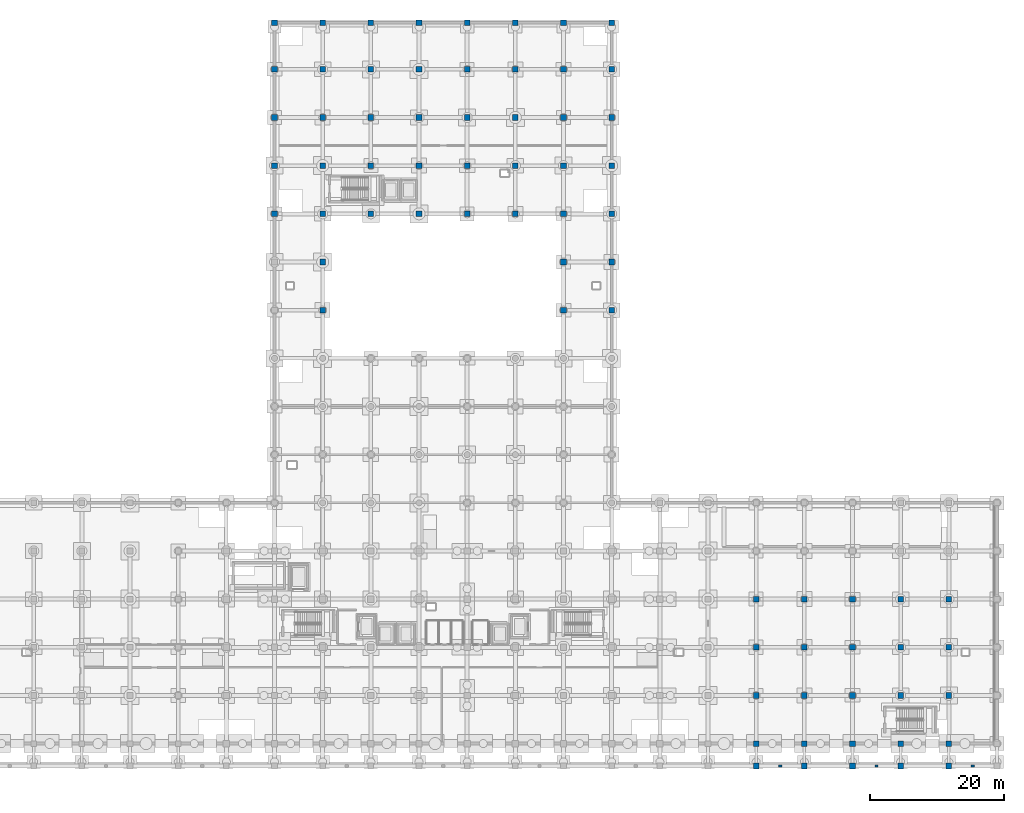
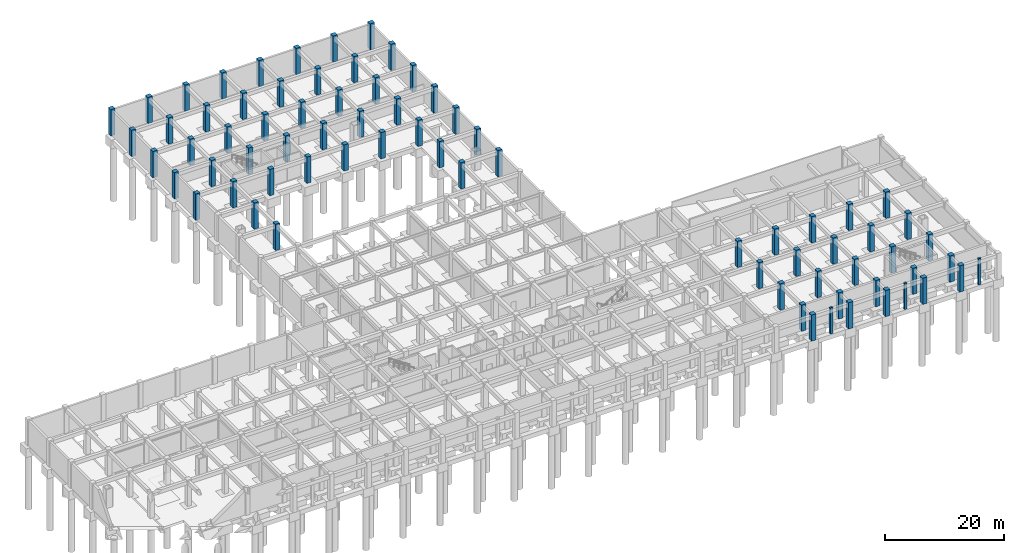
# One storey, part 7 of 26: 74 columns.
"""IFC4 building model written with IfcOpenShell, lengths in metres."""

from ifc_helpers import new_model, si_unit, direction, frame, origin, origin_2d, place, context, subcontext, project, spatial, rectangle, extrude, material, material_profile, profile_set, type_object, element, save


model = new_model("IFC4")

# Units and contexts
model_context = context("Model", 3, precision=1e-05, world=origin(), true_north=direction((0.0, 1.0)))
body_context = subcontext(model_context, "Body", "Model", "MODEL_VIEW")
ifc_project = project(units=[si_unit("LENGTHUNIT", "METRE"), si_unit("AREAUNIT", "SQUARE_METRE"), si_unit("VOLUMEUNIT", "CUBIC_METRE"), si_unit("PLANEANGLEUNIT", "RADIAN"), si_unit("MASSUNIT", "GRAM", prefix="KILO")], contexts=[model_context])

# Site, building, storey
site_placement = place(None, origin())
site = spatial("IfcSite", under=ifc_project, at=site_placement, CompositionType="ELEMENT")
building_placement = place(site_placement, origin())
building = spatial("IfcBuilding", under=site, at=building_placement, Name="Kazehaya Institute of Natural Sciences", CompositionType="ELEMENT")
storey_placement = place(building_placement, frame((0.0, 0.0, -5.39990234375)))
storey = spatial("IfcBuildingStorey", under=building, at=storey_placement, Name="B1", CompositionType="ELEMENT", Elevation=-5.39990234375)

# Columns
ifc_material_1 = material(Name="Concrete Fc42", Category="concrete")
ifc_material_profile_1 = material_profile(ifc_material_1, rectangle(XDim=0.85009765625, YDim=0.85009765625, at=origin_2d()), Name="RC-850x850")
ifc_profile_set_1 = profile_set([ifc_material_profile_1], Name="Concrete Fc42")
column_type_1 = type_object("IfcColumnType", Name="COL-RC850", PredefinedType="COLUMN", material=ifc_profile_set_1)
for number, where, z_axis, x_axis, name in (
    (1, (133.800048828125, 3.449951171875, 0.0), (0.0, 0.0, 1.0), (1.0, 0.0, 0.0), "B1 column COL-B1-0019"),
    (2, (141.0, 3.449951171875, 0.0), (0.0, 0.0, 1.0), (1.0, 0.0, 0.0), "B1 column COL-B1-0020"),
    (3, (148.199951171875, 3.449951171875, 0.0), (0.0, 0.0, 1.0), (1.0, 0.0, 0.0), "B1 column COL-B1-0021"),
    (4, (155.39990234375, 3.449951171875, 0.0), (0.0, 0.0, 1.0), (1.0, 0.0, 0.0), "B1 column COL-B1-0022"),
    (5, (162.60009765625, 3.449951171875, 0.0), (0.0, 0.0, 1.0), (1.0, 0.0, 0.0), "B1 column COL-B1-0023"),
    (6, (133.800048828125, 6.800048828125, 0.0), (0.0, 0.0, 1.0), (1.0, 0.0, 0.0), "B1 column COL-B1-0043"),
    (7, (141.0, 6.800048828125, 0.0), (0.0, 0.0, 1.0), (1.0, 0.0, 0.0), "B1 column COL-B1-0044"),
    (8, (148.199951171875, 6.800048828125, 0.0), (0.0, 0.0, 1.0), (1.0, 0.0, 0.0), "B1 column COL-B1-0045"),
    (9, (155.39990234375, 6.800048828125, 0.0), (0.0, 0.0, 1.0), (1.0, 0.0, 0.0), "B1 column COL-B1-0046"),
    (10, (162.60009765625, 6.800048828125, 0.0), (0.0, 0.0, 1.0), (1.0, 0.0, 0.0), "B1 column COL-B1-0047"),
    (11, (133.800048828125, 14.0, 0.0), (0.0, 0.0, 1.0), (1.0, 0.0, 0.0), "B1 column COL-B1-0067"),
    (12, (141.0, 14.0, 0.0), (0.0, 0.0, 1.0), (1.0, 0.0, 0.0), "B1 column COL-B1-0068"),
    (13, (148.199951171875, 14.0, 0.0), (0.0, 0.0, 1.0), (1.0, 0.0, 0.0), "B1 column COL-B1-0069"),
    (14, (155.39990234375, 14.0, 0.0), (0.0, 0.0, 1.0), (1.0, 0.0, 0.0), "B1 column COL-B1-0070"),
    (15, (162.60009765625, 14.0, 0.0), (0.0, 0.0, 1.0), (1.0, 0.0, 0.0), "B1 column COL-B1-0071"),
    (16, (133.800048828125, 21.199951171875, 0.0), (0.0, 0.0, 1.0), (1.0, 0.0, 0.0), "B1 column COL-B1-0091"),
    (17, (141.0, 21.199951171875, 0.0), (0.0, 0.0, 1.0), (1.0, 0.0, 0.0), "B1 column COL-B1-0092"),
    (18, (148.199951171875, 21.199951171875, 0.0), (0.0, 0.0, 1.0), (1.0, 0.0, 0.0), "B1 column COL-B1-0093"),
    (19, (155.39990234375, 21.199951171875, 0.0), (0.0, 0.0, 1.0), (1.0, 0.0, 0.0), "B1 column COL-B1-0094"),
    (20, (162.60009765625, 21.199951171875, 0.0), (0.0, 0.0, 1.0), (1.0, 0.0, 0.0), "B1 column COL-B1-0095"),
    (21, (133.800048828125, 28.39990234375, 0.0), (0.0, 0.0, 1.0), (1.0, 0.0, 0.0), "B1 column COL-B1-0115"),
    (22, (141.0, 28.39990234375, 0.0), (0.0, 0.0, 1.0), (1.0, 0.0, 0.0), "B1 column COL-B1-0116"),
    (23, (148.199951171875, 28.39990234375, 0.0), (0.0, 0.0, 1.0), (1.0, 0.0, 0.0), "B1 column COL-B1-0117"),
    (24, (155.39990234375, 28.39990234375, 0.0), (0.0, 0.0, 1.0), (1.0, 0.0, 0.0), "B1 column COL-B1-0118"),
    (25, (162.60009765625, 28.39990234375, 0.0), (0.0, 0.0, 1.0), (1.0, 0.0, 0.0), "B1 column COL-B1-0119"),
    (26, (69.0, 71.60009765625, 0.0), (0.0, 0.0, 1.0), (1.0, 0.0, 0.0), "B1 column COL-B1-0194"),
    (27, (105.0, 71.60009765625, 0.0), (0.0, 0.0, 1.0), (1.0, 0.0, 0.0), "B1 column COL-B1-0195"),
    (28, (112.199951171875, 71.60009765625, 0.0), (0.0, 0.0, 1.0), (1.0, 0.0, 0.0), "B1 column COL-B1-0196"),
    (29, (69.0, 78.800048828125, 0.0), (0.0, 0.0, 1.0), (1.0, 0.0, 0.0), "B1 column COL-B1-0198"),
    (30, (105.0, 78.800048828125, 0.0), (0.0, 0.0, 1.0), (1.0, 0.0, 0.0), "B1 column COL-B1-0199"),
    (31, (112.199951171875, 78.800048828125, 0.0), (0.0, 0.0, 1.0), (1.0, 0.0, 0.0), "B1 column COL-B1-0200"),
    (32, (61.800048828125, 86.0, 0.0), (0.0, 0.0, 1.0), (1.0, 0.0, 0.0), "B1 column COL-B1-0201"),
    (33, (69.0, 86.0, 0.0), (0.0, 0.0, 1.0), (1.0, 0.0, 0.0), "B1 column COL-B1-0202"),
    (34, (76.199951171875, 86.0, 0.0), (0.0, 0.0, 1.0), (1.0, 0.0, 0.0), "B1 column COL-B1-0203"),
    (35, (83.39990234375, 86.0, 0.0), (0.0, 0.0, 1.0), (1.0, 0.0, 0.0), "B1 column COL-B1-0204"),
    (36, (90.60009765625, 86.0, 0.0), (0.0, 0.0, 1.0), (1.0, 0.0, 0.0), "B1 column COL-B1-0205"),
    (37, (97.800048828125, 86.0, 0.0), (0.0, 0.0, 1.0), (1.0, 0.0, 0.0), "B1 column COL-B1-0206"),
    (38, (105.0, 86.0, 0.0), (0.0, 0.0, 1.0), (1.0, 0.0, 0.0), "B1 column COL-B1-0207"),
    (39, (112.199951171875, 86.0, 0.0), (0.0, 0.0, 1.0), (1.0, 0.0, 0.0), "B1 column COL-B1-0208"),
    (40, (61.800048828125, 93.199951171875, 0.0), (0.0, 0.0, 1.0), (1.0, 0.0, 0.0), "B1 column COL-B1-0209"),
    (41, (69.0, 93.199951171875, 0.0), (0.0, 0.0, 1.0), (1.0, 0.0, 0.0), "B1 column COL-B1-0210"),
    (42, (76.199951171875, 93.199951171875, 0.0), (0.0, 0.0, 1.0), (1.0, 0.0, 0.0), "B1 column COL-B1-0211"),
    (43, (83.39990234375, 93.199951171875, 0.0), (0.0, 0.0, 1.0), (1.0, 0.0, 0.0), "B1 column COL-B1-0212"),
    (44, (90.60009765625, 93.199951171875, 0.0), (0.0, 0.0, 1.0), (1.0, 0.0, 0.0), "B1 column COL-B1-0213"),
    (45, (97.800048828125, 93.199951171875, 0.0), (0.0, 0.0, 1.0), (1.0, 0.0, 0.0), "B1 column COL-B1-0214"),
    (46, (105.0, 93.199951171875, 0.0), (0.0, 0.0, 1.0), (1.0, 0.0, 0.0), "B1 column COL-B1-0215"),
    (47, (112.199951171875, 93.199951171875, 0.0), (0.0, 0.0, 1.0), (1.0, 0.0, 0.0), "B1 column COL-B1-0216"),
    (48, (61.800048828125, 100.39990234375, 0.0), (0.0, 0.0, 1.0), (1.0, 0.0, 0.0), "B1 column COL-B1-0217"),
    (49, (69.0, 100.39990234375, 0.0), (0.0, 0.0, 1.0), (1.0, 0.0, 0.0), "B1 column COL-B1-0218"),
    (50, (76.199951171875, 100.39990234375, 0.0), (0.0, 0.0, 1.0), (1.0, 0.0, 0.0), "B1 column COL-B1-0219"),
    (51, (83.39990234375, 100.39990234375, 0.0), (0.0, 0.0, 1.0), (1.0, 0.0, 0.0), "B1 column COL-B1-0220"),
    (52, (90.60009765625, 100.39990234375, 0.0), (0.0, 0.0, 1.0), (1.0, 0.0, 0.0), "B1 column COL-B1-0221"),
    (53, (97.800048828125, 100.39990234375, 0.0), (0.0, 0.0, 1.0), (1.0, 0.0, 0.0), "B1 column COL-B1-0222"),
    (54, (105.0, 100.39990234375, 0.0), (0.0, 0.0, 1.0), (1.0, 0.0, 0.0), "B1 column COL-B1-0223"),
    (55, (112.199951171875, 100.39990234375, 0.0), (0.0, 0.0, 1.0), (1.0, 0.0, 0.0), "B1 column COL-B1-0224"),
    (56, (61.800048828125, 107.60009765625, 0.0), (0.0, 0.0, 1.0), (1.0, 0.0, 0.0), "B1 column COL-B1-0225"),
    (57, (69.0, 107.60009765625, 0.0), (0.0, 0.0, 1.0), (1.0, 0.0, 0.0), "B1 column COL-B1-0226"),
    (58, (76.199951171875, 107.60009765625, 0.0), (0.0, 0.0, 1.0), (1.0, 0.0, 0.0), "B1 column COL-B1-0227"),
    (59, (83.39990234375, 107.60009765625, 0.0), (0.0, 0.0, 1.0), (1.0, 0.0, 0.0), "B1 column COL-B1-0228"),
    (60, (90.60009765625, 107.60009765625, 0.0), (0.0, 0.0, 1.0), (1.0, 0.0, 0.0), "B1 column COL-B1-0229"),
    (61, (97.800048828125, 107.60009765625, 0.0), (0.0, 0.0, 1.0), (1.0, 0.0, 0.0), "B1 column COL-B1-0230"),
    (62, (105.0, 107.60009765625, 0.0), (0.0, 0.0, 1.0), (1.0, 0.0, 0.0), "B1 column COL-B1-0231"),
    (63, (112.199951171875, 107.60009765625, 0.0), (0.0, 0.0, 1.0), (1.0, 0.0, 0.0), "B1 column COL-B1-0232"),
    (64, (61.800048828125, 114.550048828125, 0.0), (0.0, 0.0, 1.0), (1.0, 0.0, 0.0), "B1 column COL-B1-0233"),
    (65, (69.0, 114.550048828125, 0.0), (0.0, 0.0, 1.0), (1.0, 0.0, 0.0), "B1 column COL-B1-0234"),
    (66, (76.199951171875, 114.550048828125, 0.0), (0.0, 0.0, 1.0), (1.0, 0.0, 0.0), "B1 column COL-B1-0235"),
    (67, (83.39990234375, 114.550048828125, 0.0), (0.0, 0.0, 1.0), (1.0, 0.0, 0.0), "B1 column COL-B1-0236"),
    (68, (90.60009765625, 114.550048828125, 0.0), (0.0, 0.0, 1.0), (1.0, 0.0, 0.0), "B1 column COL-B1-0237"),
    (69, (97.800048828125, 114.550048828125, 0.0), (0.0, 0.0, 1.0), (1.0, 0.0, 0.0), "B1 column COL-B1-0238"),
    (70, (105.0, 114.550048828125, 0.0), (0.0, 0.0, 1.0), (1.0, 0.0, 0.0), "B1 column COL-B1-0239"),
    (71, (112.199951171875, 114.550048828125, 0.0), (0.0, 0.0, 1.0), (1.0, 0.0, 0.0), "B1 column COL-B1-0240"),
):
    element("IfcColumn", number, at=place(storey_placement, frame(where, z_axis=z_axis, x_axis=x_axis)), inside=storey, type_object=column_type_1, Name=name, PredefinedType="COLUMN", context=body_context, shape_type="SweptSolid", body=[
        extrude(rectangle(XDim=0.85009765625, YDim=0.85009765625, at=origin_2d()), origin(), (0.0, 0.0, 1.0), 5.39990234375),
    ])
ifc_material_2 = material(Name="Precast concrete Fc36", Category="concrete")
ifc_material_profile_2 = material_profile(ifc_material_2, rectangle(XDim=0.5, YDim=0.35009765625, at=origin_2d()), Name="RC-PIL-500x350")
ifc_profile_set_2 = profile_set([ifc_material_profile_2], Name="Precast concrete Fc36")
column_type_2 = type_object("IfcColumnType", Name="PIL-500x350", PredefinedType="PILASTER", material=ifc_profile_set_2)
for number, where, z_axis, x_axis, name in (
    (72, (137.39990234375, 3.449951171875, 0.0), (0.0, 0.0, 1.0), (1.0, 0.0, 0.0), "B1 Neoclassical colonnade pilaster PIL-B1-008"),
    (73, (151.800048828125, 3.449951171875, 0.0), (0.0, 0.0, 1.0), (1.0, 0.0, 0.0), "B1 Neoclassical colonnade pilaster PIL-B1-009"),
    (74, (166.199951171875, 3.449951171875, 0.0), (0.0, 0.0, 1.0), (1.0, 0.0, 0.0), "B1 Neoclassical colonnade pilaster PIL-B1-010"),
):
    element("IfcColumn", number, at=place(storey_placement, frame(where, z_axis=z_axis, x_axis=x_axis)), inside=storey, type_object=column_type_2, Name=name, PredefinedType="PILASTER", context=body_context, shape_type="SweptSolid", body=[
        extrude(rectangle(XDim=0.5, YDim=0.35009765625, at=origin_2d()), origin(), (0.0, 0.0, 1.0), 5.39990234375),
    ])

save(model, "model.ifc")
